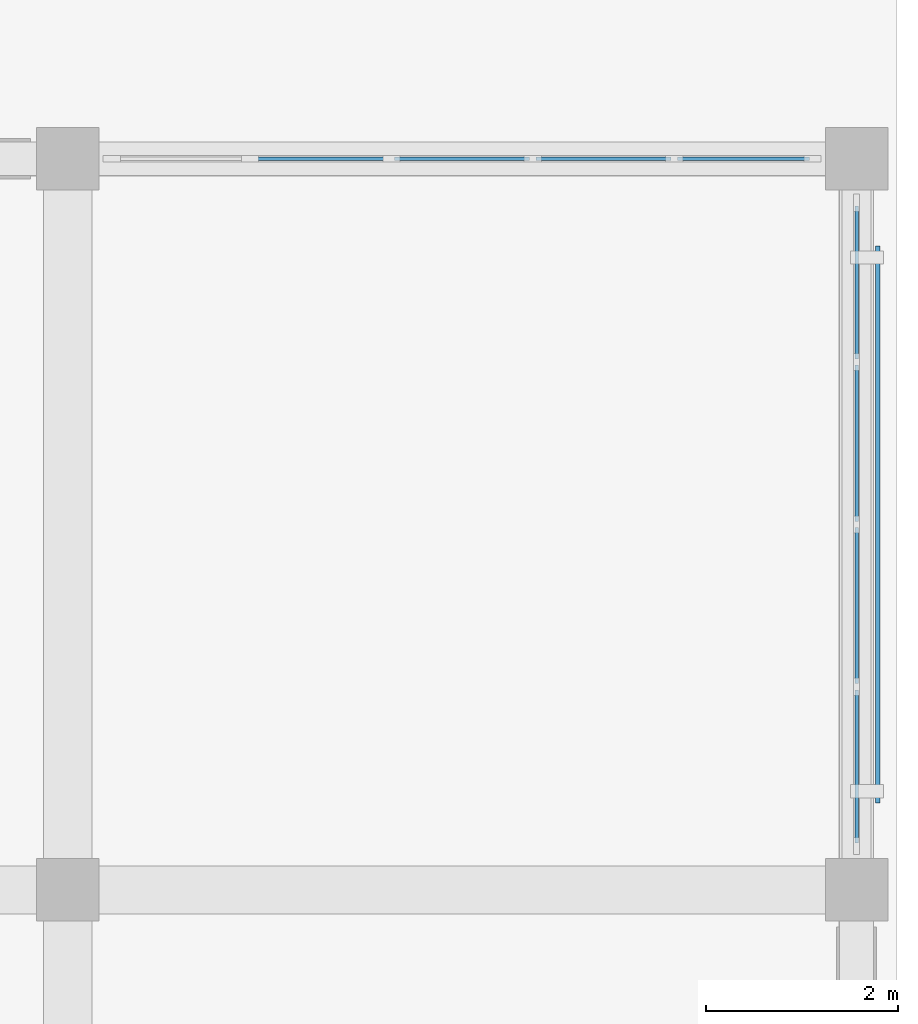
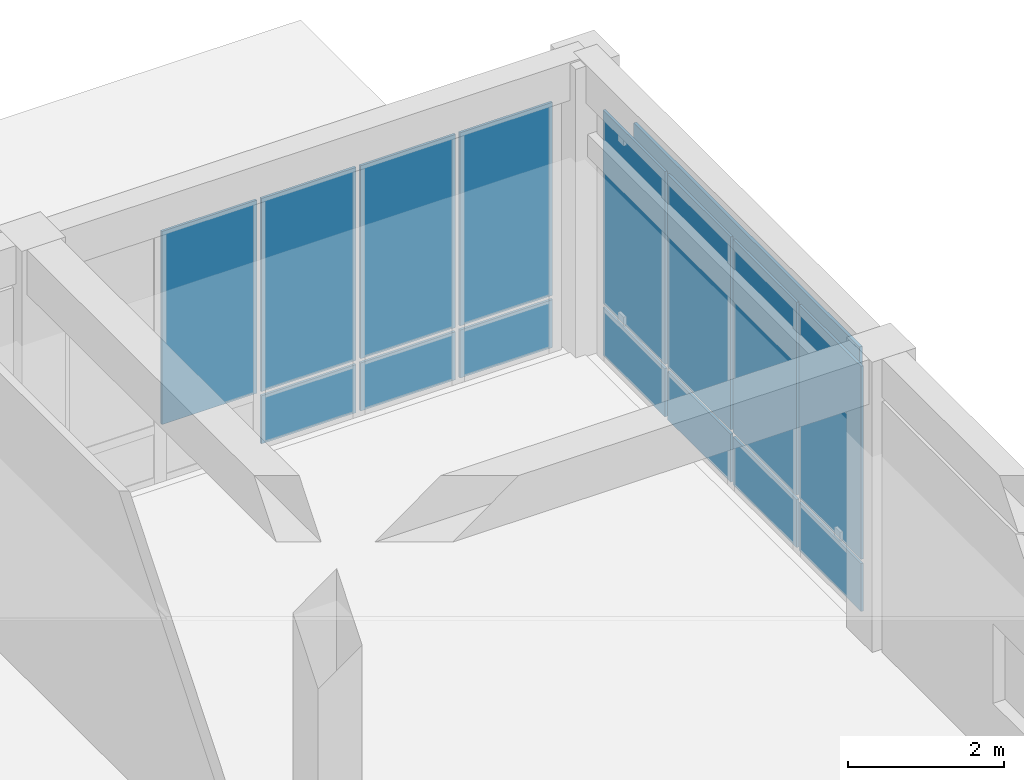
# One storey, part 13 of 23: 16 plates, 2 elements without a shape of their own.
"""IFC4 building model written with IfcOpenShell, lengths in metres."""

from ifc_helpers import new_model, si_unit, direction, frame, origin, origin_2d, place, context, subcontext, project, spatial, rectangle, extrude, material, layer, layer_set, type_object, element, aggregate, save


model = new_model("IFC4")

# Units and contexts
model_context = context("Model", 3, precision=1e-05, world=origin(), true_north=direction((0.0, 1.0)))
body_context = subcontext(model_context, "Body", "Model", "MODEL_VIEW")
ifc_project = project(units=[si_unit("LENGTHUNIT", "METRE"), si_unit("AREAUNIT", "SQUARE_METRE"), si_unit("VOLUMEUNIT", "CUBIC_METRE"), si_unit("PLANEANGLEUNIT", "RADIAN"), si_unit("MASSUNIT", "GRAM", prefix="KILO")], contexts=[model_context])

# Site, building, storey
site_placement = place(None, origin())
site = spatial("IfcSite", under=ifc_project, at=site_placement, CompositionType="ELEMENT")
building_placement = place(site_placement, origin())
building = spatial("IfcBuilding", under=site, at=building_placement, Name="Qandaris Square Conservatory and Botanical Centre", CompositionType="ELEMENT")
storey_placement = place(building_placement, frame((0.0, 0.0, 15.0)))
storey = spatial("IfcBuildingStorey", under=building, at=storey_placement, Name="L03", CompositionType="ELEMENT", Elevation=15.0)

# Curtain wall, plates
ifc_material_1 = material(Name="Anodised Aluminium", Category="aluminium")
curtain_wall_type_1 = type_object("IfcCurtainWallType", Name="Unitised Curtain Wall CW-4-675x397", PredefinedType="USERDEFINED", material=ifc_material_1)
curtain_wall_1_placement = place(storey_placement, origin())
curtain_wall_1 = element("IfcCurtainWall", 1, at=curtain_wall_1_placement, inside=storey, type_object=curtain_wall_type_1, Name="Curtain Wall CW-TWR-L03-2-10", ObjectType="GLAZED CURTAIN WALL", PredefinedType="USERDEFINED")
ifc_material_2 = material(Name="Tempered Low-E Glass", Category="glass")
ifc_layer_1 = layer(ifc_material_2, 0.035888671875)
ifc_layer_set_1 = layer_set([ifc_layer_1], Name="Tempered Low-E Glass")
plate_type_1 = type_object("IfcPlateType", Name="Double-Glazed Solar Control Vision Unit 36mm", PredefinedType="CURTAIN_PANEL", material=ifc_layer_set_1)
plate_1_placement = place(storey_placement, frame((163.800048828125, 86.284912109375, 0.06494140625), z_axis=(0.0, 0.0, 1.0), x_axis=(0.0, 1.0, 0.0)))
plate_1 = element("IfcPlate", 2, at=plate_1_placement, type_object=plate_type_1, Name="CW-4-675x397 panel 1.1", PredefinedType="CURTAIN_PANEL", context=body_context, shape_type="SweptSolid", body=[
    extrude(rectangle(XDim=1.590087890625, YDim=0.035888671875, at=origin_2d()), origin(), (0.0, 0.0, 1.0), 0.75244140625),
])
plate_2_placement = place(storey_placement, frame((163.800048828125, 86.284912109375, 0.882568359375), z_axis=(0.0, 0.0, 1.0), x_axis=(0.0, 1.0, 0.0)))
plate_2 = element("IfcPlate", 3, at=plate_2_placement, type_object=plate_type_1, Name="CW-4-675x397 panel 1.2", PredefinedType="CURTAIN_PANEL", context=body_context, shape_type="SweptSolid", body=[
    extrude(rectangle(XDim=1.590087890625, YDim=0.035888671875, at=origin_2d()), origin(), (0.0, 0.0, 1.0), 3.0224609375),
])
plate_3_placement = place(storey_placement, frame((163.800048828125, 87.956298828125, 0.06494140625), z_axis=(0.0, 0.0, 1.0), x_axis=(0.0, 1.0, 0.0)))
plate_3 = element("IfcPlate", 4, at=plate_3_placement, type_object=plate_type_1, Name="CW-4-675x397 panel 2.1", PredefinedType="CURTAIN_PANEL", context=body_context, shape_type="SweptSolid", body=[
    extrude(rectangle(XDim=1.62255859375, YDim=0.035888671875, at=origin_2d()), origin(), (0.0, 0.0, 1.0), 0.75244140625),
])
plate_4_placement = place(storey_placement, frame((163.800048828125, 87.956298828125, 0.882568359375), z_axis=(0.0, 0.0, 1.0), x_axis=(0.0, 1.0, 0.0)))
plate_4 = element("IfcPlate", 5, at=plate_4_placement, type_object=plate_type_1, Name="CW-4-675x397 panel 2.2", PredefinedType="CURTAIN_PANEL", context=body_context, shape_type="SweptSolid", body=[
    extrude(rectangle(XDim=1.62255859375, YDim=0.035888671875, at=origin_2d()), origin(), (0.0, 0.0, 1.0), 3.0224609375),
])
plate_5_placement = place(storey_placement, frame((163.800048828125, 89.643798828125, 0.06494140625), z_axis=(0.0, 0.0, 1.0), x_axis=(0.0, 1.0, 0.0)))
plate_5 = element("IfcPlate", 6, at=plate_5_placement, type_object=plate_type_1, Name="CW-4-675x397 panel 3.1", PredefinedType="CURTAIN_PANEL", context=body_context, shape_type="SweptSolid", body=[
    extrude(rectangle(XDim=1.62255859375, YDim=0.035888671875, at=origin_2d()), origin(), (0.0, 0.0, 1.0), 0.75244140625),
])
plate_6_placement = place(storey_placement, frame((163.800048828125, 89.643798828125, 0.882568359375), z_axis=(0.0, 0.0, 1.0), x_axis=(0.0, 1.0, 0.0)))
plate_6 = element("IfcPlate", 7, at=plate_6_placement, type_object=plate_type_1, Name="CW-4-675x397 panel 3.2", PredefinedType="CURTAIN_PANEL", context=body_context, shape_type="SweptSolid", body=[
    extrude(rectangle(XDim=1.62255859375, YDim=0.035888671875, at=origin_2d()), origin(), (0.0, 0.0, 1.0), 3.0224609375),
])
plate_7_placement = place(storey_placement, frame((163.800048828125, 91.31494140625, 0.06494140625), z_axis=(0.0, 0.0, 1.0), x_axis=(0.0, 1.0, 0.0)))
plate_7 = element("IfcPlate", 8, at=plate_7_placement, type_object=plate_type_1, Name="CW-4-675x397 panel 4.1", PredefinedType="CURTAIN_PANEL", context=body_context, shape_type="SweptSolid", body=[
    extrude(rectangle(XDim=1.590087890625, YDim=0.035888671875, at=origin_2d()), origin(), (0.0, 0.0, 1.0), 0.75244140625),
])
plate_8_placement = place(storey_placement, frame((163.800048828125, 91.31494140625, 0.882568359375), z_axis=(0.0, 0.0, 1.0), x_axis=(0.0, 1.0, 0.0)))
plate_8 = element("IfcPlate", 9, at=plate_8_placement, type_object=plate_type_1, Name="CW-4-675x397 panel 4.2", PredefinedType="CURTAIN_PANEL", context=body_context, shape_type="SweptSolid", body=[
    extrude(rectangle(XDim=1.590087890625, YDim=0.035888671875, at=origin_2d()), origin(), (0.0, 0.0, 1.0), 3.0224609375),
])
aggregate(curtain_wall_1, [plate_1, plate_2, plate_3, plate_4, plate_5, plate_6, plate_7, plate_8])

curtain_wall_type_2 = type_object("IfcCurtainWallType", Name="Unitised Curtain Wall CW-3-735x397", PredefinedType="USERDEFINED", material=ifc_material_1)
curtain_wall_2_placement = place(storey_placement, origin())
curtain_wall_2 = element("IfcCurtainWall", 10, at=curtain_wall_2_placement, inside=storey, type_object=curtain_wall_type_2, Name="Curtain Wall CW-TWR-L03-3-1", ObjectType="GLAZED CURTAIN WALL", PredefinedType="USERDEFINED")
plate_9_placement = place(storey_placement, frame((162.623779296875, 92.60009765625, 0.06494140625), z_axis=(0.0, 0.0, 1.0), x_axis=(-1.0, 0.0, 0.0)))
plate_9 = element("IfcPlate", 11, at=plate_9_placement, type_object=plate_type_1, Name="CW-3-735x397 panel 1.1", PredefinedType="CURTAIN_PANEL", context=body_context, shape_type="SweptSolid", body=[
    extrude(rectangle(XDim=1.37255859375, YDim=0.035888671875, at=origin_2d()), origin(), (0.0, 0.0, 1.0), 0.75244140625),
])
plate_10_placement = place(storey_placement, frame((162.623779296875, 92.60009765625, 0.882568359375), z_axis=(0.0, 0.0, 1.0), x_axis=(-1.0, 0.0, 0.0)))
plate_10 = element("IfcPlate", 12, at=plate_10_placement, type_object=plate_type_1, Name="CW-3-735x397 panel 1.2", PredefinedType="CURTAIN_PANEL", context=body_context, shape_type="SweptSolid", body=[
    extrude(rectangle(XDim=1.37255859375, YDim=0.035888671875, at=origin_2d()), origin(), (0.0, 0.0, 1.0), 3.0224609375),
])
plate_11_placement = place(storey_placement, frame((161.169921875, 92.60009765625, 0.06494140625), z_axis=(0.0, 0.0, 1.0), x_axis=(-1.0, 0.0, 0.0)))
plate_11 = element("IfcPlate", 13, at=plate_11_placement, type_object=plate_type_1, Name="CW-3-735x397 panel 2.1", PredefinedType="CURTAIN_PANEL", context=body_context, shape_type="SweptSolid", body=[
    extrude(rectangle(XDim=1.405029296875, YDim=0.035888671875, at=origin_2d()), origin(), (0.0, 0.0, 1.0), 0.75244140625),
])
plate_12_placement = place(storey_placement, frame((161.169921875, 92.60009765625, 0.882568359375), z_axis=(0.0, 0.0, 1.0), x_axis=(-1.0, 0.0, 0.0)))
plate_12 = element("IfcPlate", 14, at=plate_12_placement, type_object=plate_type_1, Name="CW-3-735x397 panel 2.2", PredefinedType="CURTAIN_PANEL", context=body_context, shape_type="SweptSolid", body=[
    extrude(rectangle(XDim=1.405029296875, YDim=0.035888671875, at=origin_2d()), origin(), (0.0, 0.0, 1.0), 3.0224609375),
])
plate_13_placement = place(storey_placement, frame((159.699951171875, 92.60009765625, 0.06494140625), z_axis=(0.0, 0.0, 1.0), x_axis=(-1.0, 0.0, 0.0)))
plate_13 = element("IfcPlate", 15, at=plate_13_placement, type_object=plate_type_1, Name="CW-3-735x397 panel 3.1", PredefinedType="CURTAIN_PANEL", context=body_context, shape_type="SweptSolid", body=[
    extrude(rectangle(XDim=1.405029296875, YDim=0.035888671875, at=origin_2d()), origin(), (0.0, 0.0, 1.0), 0.75244140625),
])
plate_14_placement = place(storey_placement, frame((159.699951171875, 92.60009765625, 0.882568359375), z_axis=(0.0, 0.0, 1.0), x_axis=(-1.0, 0.0, 0.0)))
plate_14 = element("IfcPlate", 16, at=plate_14_placement, type_object=plate_type_1, Name="CW-3-735x397 panel 3.2", PredefinedType="CURTAIN_PANEL", context=body_context, shape_type="SweptSolid", body=[
    extrude(rectangle(XDim=1.405029296875, YDim=0.035888671875, at=origin_2d()), origin(), (0.0, 0.0, 1.0), 3.0224609375),
])
plate_15_placement = place(storey_placement, frame((158.22998046875, 92.60009765625, 0.882568359375), z_axis=(0.0, 0.0, 1.0), x_axis=(-1.0, 0.0, 0.0)))
plate_15 = element("IfcPlate", 17, at=plate_15_placement, type_object=plate_type_1, Name="CW-3-735x397 panel 4.2", PredefinedType="CURTAIN_PANEL", context=body_context, shape_type="SweptSolid", body=[
    extrude(rectangle(XDim=1.405029296875, YDim=0.035888671875, at=origin_2d()), origin(), (0.0, 0.0, 1.0), 3.0224609375),
])
aggregate(curtain_wall_2, [plate_9, plate_10, plate_11, plate_12, plate_13, plate_14, plate_15])

# Plate
ifc_material_3 = material(Name="Weathering Bronze Alloy", Category="metal")
ifc_layer_2 = layer(ifc_material_3, 0.044921875)
ifc_layer_set_2 = layer_set([ifc_layer_2], Name="Weathering Bronze Alloy")
plate_type_2 = type_object("IfcPlateType", Name="Perforated Bronze Mashrabiya Solar Screen Panel", PredefinedType="USERDEFINED", material=ifc_layer_set_2)
plate_16_placement = place(storey_placement, frame((164.02001953125, 88.800048828125, 0.8798828125), z_axis=(0.0, 0.0, 1.0), x_axis=(0.0, 1.0, 0.0)))
element("IfcPlate", 18, at=plate_16_placement, inside=storey, type_object=plate_type_2, Name="Mashrabiya Solar Screen CW-TWR-L03-2-10", ObjectType="SOLAR SCREEN", PredefinedType="USERDEFINED", context=body_context, shape_type="SweptSolid", body=[
    extrude(rectangle(XDim=5.7900390625, YDim=0.044921875, at=origin_2d()), origin(), (0.0, 0.0, 1.0), 3.0),
])

save(model, "model.ifc")
